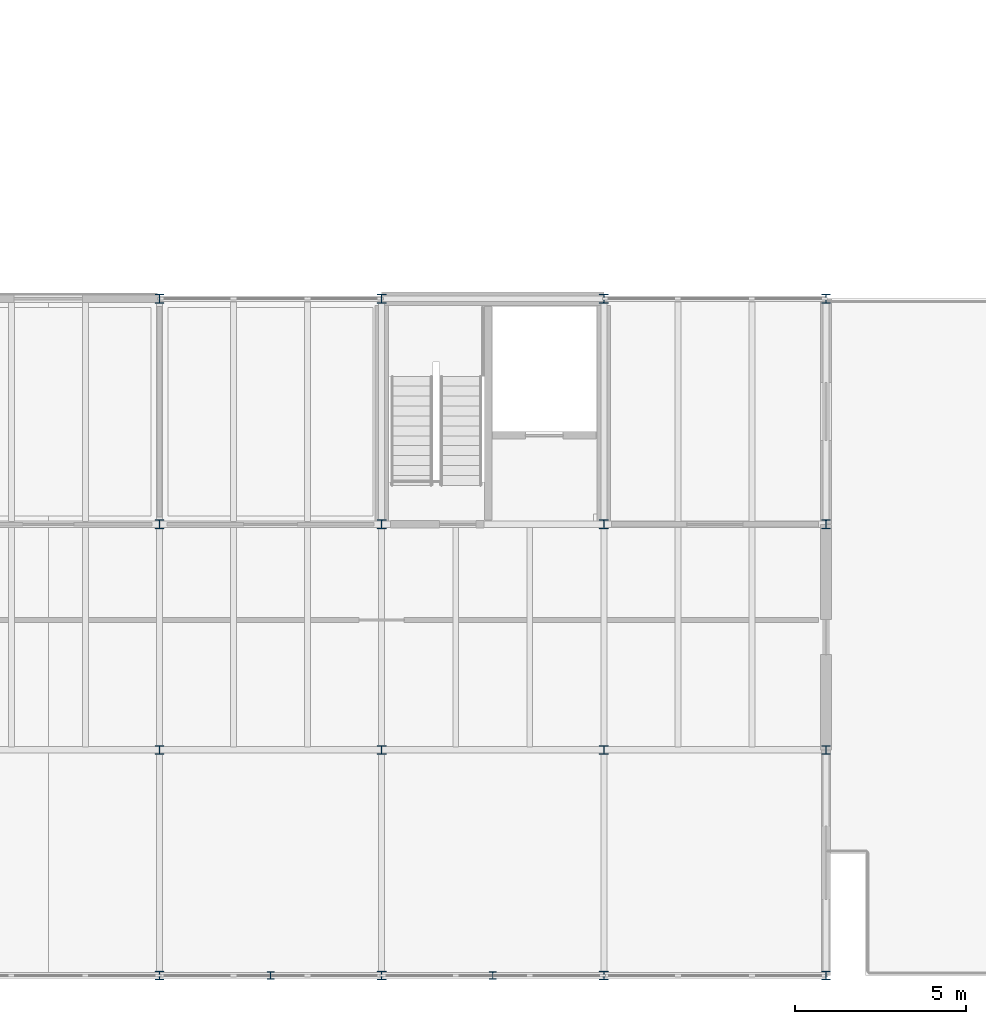
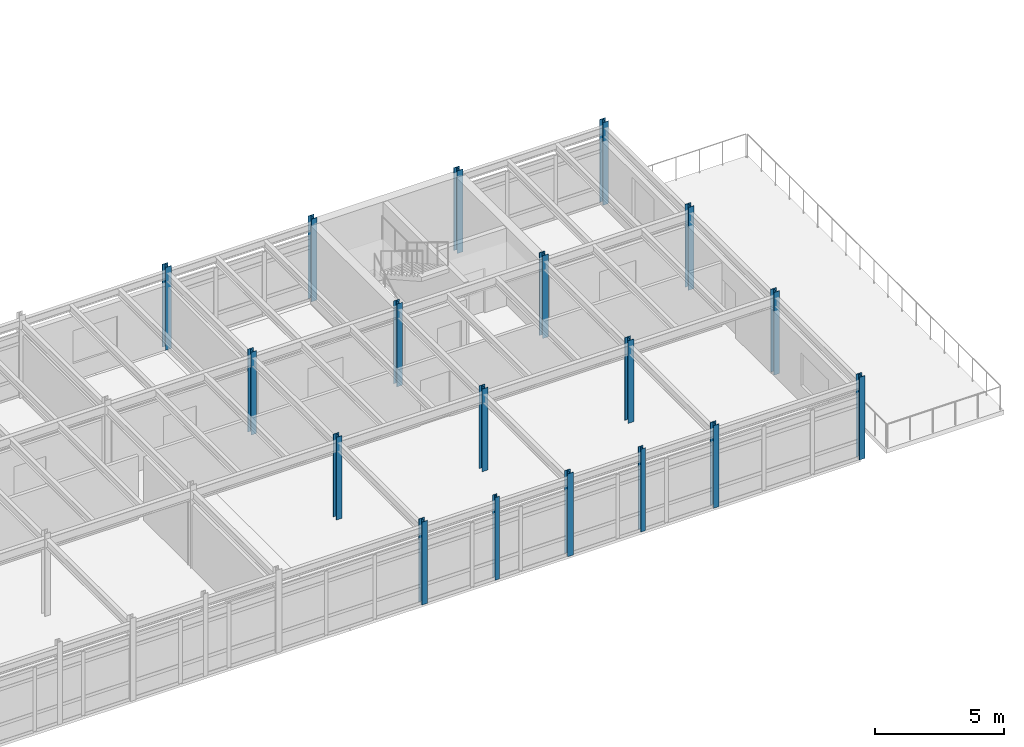
# One storey, part 4 of 26: 18 columns.
"""IFC4 building model written with IfcOpenShell, lengths in metres."""

from ifc_helpers import new_model, si_unit, direction, frame, origin, origin_2d, place, context, subcontext, project, spatial, i_section, extrude, material, material_profile, profile_set, type_object, element, save


model = new_model("IFC4")

# Units and contexts
model_context = context("Model", 3, precision=1e-05, world=origin(), true_north=direction((0.0, 1.0)))
body_context = subcontext(model_context, "Body", "Model", "MODEL_VIEW")
ifc_project = project(units=[si_unit("LENGTHUNIT", "METRE"), si_unit("AREAUNIT", "SQUARE_METRE"), si_unit("VOLUMEUNIT", "CUBIC_METRE"), si_unit("PLANEANGLEUNIT", "RADIAN"), si_unit("MASSUNIT", "GRAM", prefix="KILO")], contexts=[model_context])

# Site, building, storey
site_placement = place(None, origin())
site = spatial("IfcSite", under=ifc_project, at=site_placement, CompositionType="ELEMENT")
building_placement = place(site_placement, origin())
building = spatial("IfcBuilding", under=site, at=building_placement, Name="Trelmorton Wharf Fire Station", CompositionType="ELEMENT")
storey_placement = place(building_placement, frame((0.0, 0.0, 17.39990234375)))
storey = spatial("IfcBuildingStorey", under=building, at=storey_placement, Name="L04", CompositionType="ELEMENT", Elevation=17.39990234375)

# Columns
ifc_material = material(Name="Steel Grade 350", Category="steel")
ifc_material_profile_1 = material_profile(ifc_material, i_section(OverallWidth=0.256103515625, OverallDepth=0.260009765625, WebThickness=0.010498046875, FlangeThickness=0.017333984375, FilletRadius=0.0126953125, at=origin_2d()), Name="250UC89.5")
ifc_profile_set_1 = profile_set([ifc_material_profile_1], Name="Steel Grade 350")
column_type_1 = type_object("IfcColumnType", Name="COL_250UC89", PredefinedType="COLUMN", material=ifc_profile_set_1)
for number, where, z_axis, x_axis, name in (
    (1, (136.5, 7.800048828125, 0.0), (0.0, 0.0, 1.0), (1.0, 0.0, 0.0), "COL-L04-0734"),
    (2, (136.5, 14.39990234375, 0.0), (0.0, 0.0, 1.0), (1.0, 0.0, 0.0), "COL-L04-0735"),
    (3, (136.5, 21.0, 0.0), (0.0, 0.0, 1.0), (1.0, 0.0, 0.0), "COL-L04-0736"),
    (4, (136.5, 27.60009765625, 0.0), (0.0, 0.0, 1.0), (1.0, 0.0, 0.0), "COL-L04-0737"),
    (5, (143.0, 7.800048828125, 0.0), (0.0, 0.0, 1.0), (1.0, 0.0, 0.0), "COL-L04-0738"),
    (6, (143.0, 14.39990234375, 0.0), (0.0, 0.0, 1.0), (1.0, 0.0, 0.0), "COL-L04-0739"),
    (7, (143.0, 21.0, 0.0), (0.0, 0.0, 1.0), (1.0, 0.0, 0.0), "COL-L04-0740"),
    (8, (143.0, 27.60009765625, 0.0), (0.0, 0.0, 1.0), (1.0, 0.0, 0.0), "COL-L04-0741"),
    (9, (149.5, 7.800048828125, 0.0), (0.0, 0.0, 1.0), (1.0, 0.0, 0.0), "COL-L04-0742"),
    (10, (149.5, 14.39990234375, 0.0), (0.0, 0.0, 1.0), (1.0, 0.0, 0.0), "COL-L04-0743"),
    (11, (149.5, 21.0, 0.0), (0.0, 0.0, 1.0), (1.0, 0.0, 0.0), "COL-L04-0744"),
    (12, (149.5, 27.60009765625, 0.0), (0.0, 0.0, 1.0), (1.0, 0.0, 0.0), "COL-L04-0745"),
    (13, (156.0, 7.800048828125, 0.0), (0.0, 0.0, 1.0), (1.0, 0.0, 0.0), "COL-L04-0746"),
    (14, (156.0, 14.39990234375, 0.0), (0.0, 0.0, 1.0), (1.0, 0.0, 0.0), "COL-L04-0747"),
    (15, (156.0, 21.0, 0.0), (0.0, 0.0, 1.0), (1.0, 0.0, 0.0), "COL-L04-0748"),
    (16, (156.0, 27.60009765625, 0.0), (0.0, 0.0, 1.0), (1.0, 0.0, 0.0), "COL-L04-0749"),
):
    element("IfcColumn", number, at=place(storey_placement, frame(where, z_axis=z_axis, x_axis=x_axis)), inside=storey, type_object=column_type_1, Name=name, PredefinedType="COLUMN", context=body_context, shape_type="SweptSolid", body=[
        extrude(i_section(OverallWidth=0.256103515625, OverallDepth=0.260009765625, WebThickness=0.010498046875, FlangeThickness=0.017333984375, FilletRadius=0.0126953125, at=origin_2d()), origin(), (0.0, 0.0, 1.0), 3.900146484375),
    ])
ifc_material_profile_2 = material_profile(ifc_material, i_section(OverallWidth=0.205078125, OverallDepth=0.2099609375, WebThickness=0.00927734375, FlangeThickness=0.01416015625, FilletRadius=0.011474609375, at=origin_2d()), Name="200UC59.5")
ifc_profile_set_2 = profile_set([ifc_material_profile_2], Name="Steel Grade 350")
column_type_2 = type_object("IfcColumnType", Name="PIL_200UC60", PredefinedType="PILASTER", material=ifc_profile_set_2)
for number, where, z_axis, x_axis, name in (
    (17, (139.75, 7.800048828125, 0.0), (0.0, 0.0, 1.0), (1.0, 0.0, 0.0), "PIL-S-L04-024"),
    (18, (146.25, 7.800048828125, 0.0), (0.0, 0.0, 1.0), (1.0, 0.0, 0.0), "PIL-S-L04-032"),
):
    element("IfcColumn", number, at=place(storey_placement, frame(where, z_axis=z_axis, x_axis=x_axis)), inside=storey, type_object=column_type_2, Name=name, PredefinedType="PILASTER", context=body_context, shape_type="SweptSolid", body=[
        extrude(i_section(OverallWidth=0.205078125, OverallDepth=0.2099609375, WebThickness=0.00927734375, FlangeThickness=0.01416015625, FilletRadius=0.011474609375, at=origin_2d()), origin(), (0.0, 0.0, 1.0), 3.900146484375),
    ])

save(model, "model.ifc")
